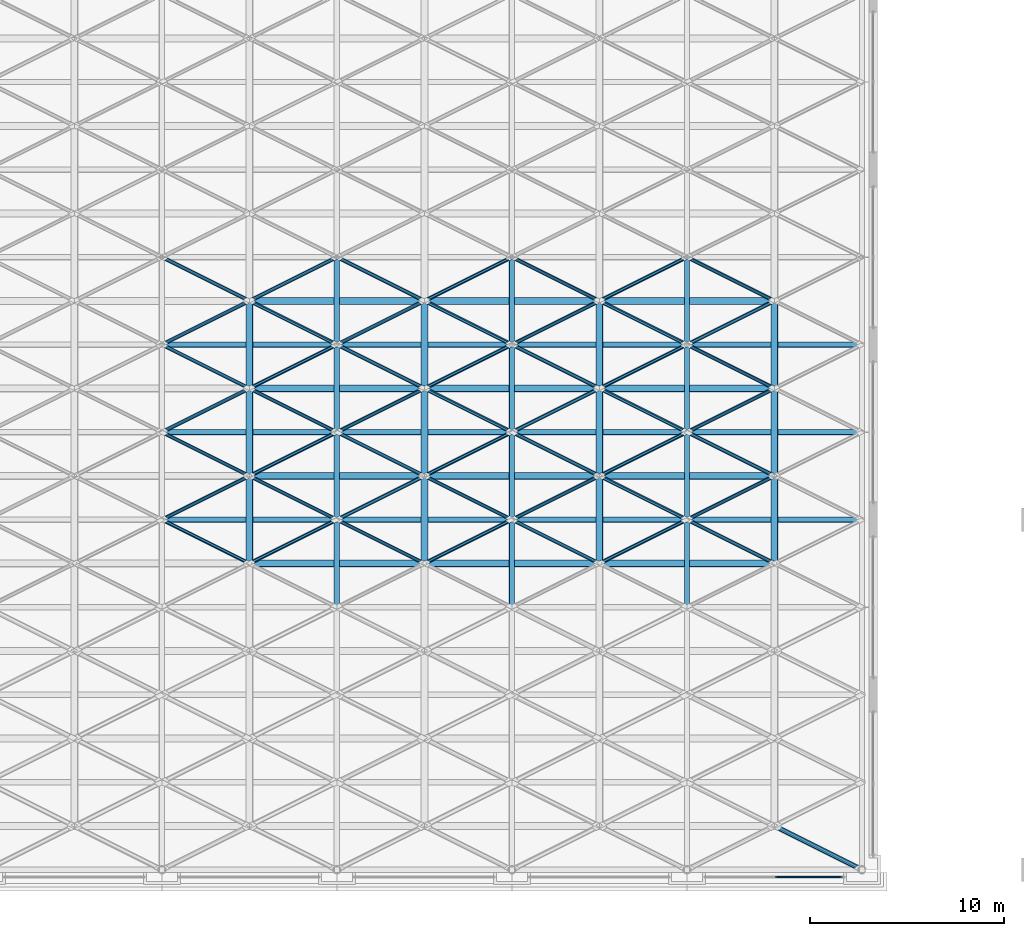
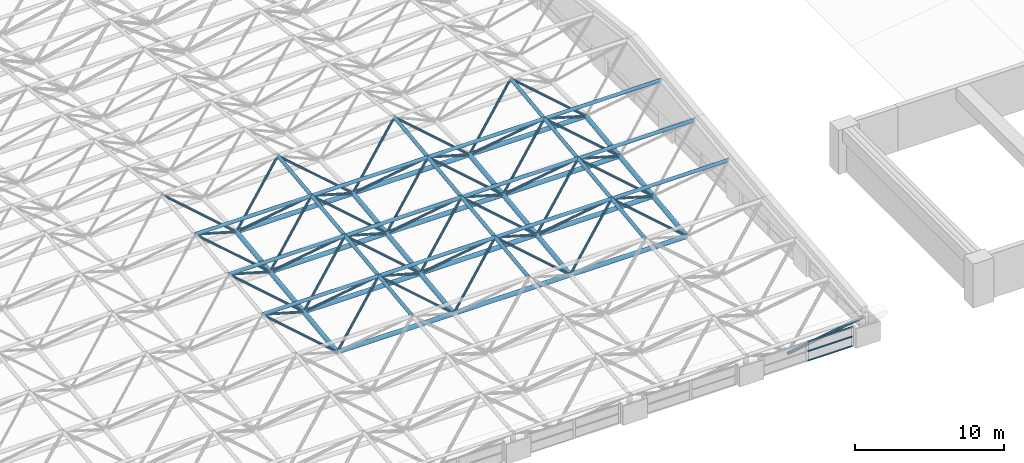
# One storey, part 14 of 53: 101 members, 1 element without a shape of its own.
"""IFC4 building model written with IfcOpenShell, lengths in metres."""

from ifc_helpers import new_model, si_unit, direction, frame, origin, origin_2d, place, context, subcontext, project, spatial, rectangle, hollow_circle, extrude, material, material_profile, profile_set, type_object, element, aggregate, save


model = new_model("IFC4")

# Units and contexts
model_context = context("Model", 3, precision=1e-05, world=origin(), true_north=direction((0.0, 1.0)))
body_context = subcontext(model_context, "Body", "Model", "MODEL_VIEW")
ifc_project = project(units=[si_unit("LENGTHUNIT", "METRE"), si_unit("AREAUNIT", "SQUARE_METRE"), si_unit("VOLUMEUNIT", "CUBIC_METRE"), si_unit("PLANEANGLEUNIT", "RADIAN"), si_unit("MASSUNIT", "GRAM", prefix="KILO")], contexts=[model_context])

# Site, building, storey
site_placement = place(None, origin())
site = spatial("IfcSite", under=ifc_project, at=site_placement, CompositionType="ELEMENT")
building_placement = place(site_placement, origin())
building = spatial("IfcBuilding", under=site, at=building_placement, Name="Aravalli Gate Trade Fair Centre", CompositionType="ELEMENT")
storey_placement = place(building_placement, frame((0.0, 0.0, 25.199951171875)))
storey = spatial("IfcBuildingStorey", under=building, at=storey_placement, Name="ROOF LEVEL 2", CompositionType="ELEMENT", Elevation=25.199951171875)

# Members
ifc_material_1 = material(Name="Steel E350", Category="steel")
ifc_material_profile_1 = material_profile(ifc_material_1, hollow_circle(Radius=0.096923828125, WallThickness=0.00634765625, at=origin_2d()), Name="CHS 193.7x6.3")
ifc_profile_set_1 = profile_set([ifc_material_profile_1], Name="Steel E350")
member_type_1 = type_object("IfcMemberType", Name="CHS 193.7x6.3", PredefinedType="BRACE", material=ifc_profile_set_1)
for number, where, z_axis, x_axis, name in (
    (1, (69.0, 64.0, 3.699951171875), (0.786485839543, 0.393242919772, -0.476235267749), (-0.4472135955, 0.894427191, 0.0), "Space frame web diagonal D2A"),
    (2, (78.0, 64.0, 3.699951171875), (0.786485839543, 0.393242919772, -0.476235267749), (-0.4472135955, 0.894427191, 0.0), "Space frame web diagonal D2A"),
    (3, (87.0, 64.0, 3.699951171875), (0.786485839543, 0.393242919772, -0.476235267749), (-0.4472135955, 0.894427191, 0.0), "Space frame web diagonal D2A"),
    (4, (96.0, 64.0, 3.699951171875), (0.786485839543, 0.393242919772, -0.476235267749), (-0.4472135955, 0.894427191, 0.0), "Space frame web diagonal D2A"),
    (5, (78.0, 64.0, 3.699951171875), (-0.786485839543, 0.393242919772, -0.476235267749), (-0.4472135955, -0.894427191, 0.0), "Space frame web diagonal D2B"),
    (6, (87.0, 64.0, 3.699951171875), (-0.786485839543, 0.393242919772, -0.476235267749), (-0.4472135955, -0.894427191, 0.0), "Space frame web diagonal D2B"),
    (7, (96.0, 64.0, 3.699951171875), (-0.786485839543, 0.393242919772, -0.476235267749), (-0.4472135955, -0.894427191, 0.0), "Space frame web diagonal D2B"),
):
    element("IfcMember", number, at=place(storey_placement, frame(where, z_axis=z_axis, x_axis=x_axis)), inside=storey, type_object=member_type_1, Name=name, PredefinedType="BRACE", context=body_context, shape_type="SweptSolid", body=[
        extrude(hollow_circle(Radius=0.096923828125, WallThickness=0.00634765625, at=origin_2d()), origin(), (0.0, 0.0, 1.0), 5.7216796875),
    ])
for number, where, z_axis, x_axis, name in (
    (8, (69.0, 64.0, 3.699951171875), (0.749609832162, -0.374804916081, -0.545533110277), (0.4472135955, 0.894427191, 0.0), "Space frame web diagonal D2C"),
    (9, (78.0, 64.0, 3.699951171875), (0.749609832162, -0.374804916081, -0.545533110277), (0.4472135955, 0.894427191, 0.0), "Space frame web diagonal D2C"),
    (10, (87.0, 64.0, 3.699951171875), (0.749609832162, -0.374804916081, -0.545533110277), (0.4472135955, 0.894427191, 0.0), "Space frame web diagonal D2C"),
    (11, (96.0, 64.0, 3.699951171875), (0.749609832162, -0.374804916081, -0.545533110277), (0.4472135955, 0.894427191, 0.0), "Space frame web diagonal D2C"),
    (12, (69.0, 68.5, 4.25), (0.749609832162, -0.374804916081, -0.545533110277), (0.4472135955, 0.894427191, 0.0), "Space frame web diagonal D2C"),
    (13, (78.0, 68.5, 4.25), (0.749609832162, -0.374804916081, -0.545533110277), (0.4472135955, 0.894427191, 0.0), "Space frame web diagonal D2C"),
    (14, (87.0, 68.5, 4.25), (0.749609832162, -0.374804916081, -0.545533110277), (0.4472135955, 0.894427191, 0.0), "Space frame web diagonal D2C"),
    (15, (96.0, 68.5, 4.25), (0.749609832162, -0.374804916081, -0.545533110277), (0.4472135955, 0.894427191, 0.0), "Space frame web diagonal D2C"),
    (16, (78.0, 64.0, 3.699951171875), (-0.749609832162, -0.374804916081, -0.545533110277), (0.4472135955, -0.894427191, 0.0), "Space frame web diagonal D2D"),
    (17, (87.0, 64.0, 3.699951171875), (-0.749609832162, -0.374804916081, -0.545533110277), (0.4472135955, -0.894427191, 0.0), "Space frame web diagonal D2D"),
    (18, (96.0, 64.0, 3.699951171875), (-0.749609832162, -0.374804916081, -0.545533110277), (0.4472135955, -0.894427191, 0.0), "Space frame web diagonal D2D"),
    (19, (78.0, 68.5, 4.25), (-0.749609832162, -0.374804916081, -0.545533110277), (0.4472135955, -0.894427191, 0.0), "Space frame web diagonal D2D"),
    (20, (87.0, 68.5, 4.25), (-0.749609832162, -0.374804916081, -0.545533110277), (0.4472135955, -0.894427191, 0.0), "Space frame web diagonal D2D"),
    (21, (96.0, 68.5, 4.25), (-0.749609832162, -0.374804916081, -0.545533110277), (0.4472135955, -0.894427191, 0.0), "Space frame web diagonal D2D"),
):
    element("IfcMember", number, at=place(storey_placement, frame(where, z_axis=z_axis, x_axis=x_axis)), inside=storey, type_object=member_type_1, Name=name, PredefinedType="BRACE", context=body_context, shape_type="SweptSolid", body=[
        extrude(hollow_circle(Radius=0.096923828125, WallThickness=0.00634765625, at=origin_2d()), origin(), (0.0, 0.0, 1.0), 6.003173828125),
    ])
for number, where, z_axis, x_axis, name in (
    (22, (69.0, 68.5, 4.25), (0.786150117051, 0.393075058526, -0.476927658901), (-0.4472135955, 0.894427191, 0.0), "Space frame web diagonal D3A"),
    (23, (78.0, 68.5, 4.25), (0.786150117051, 0.393075058526, -0.476927658901), (-0.4472135955, 0.894427191, 0.0), "Space frame web diagonal D3A"),
    (24, (87.0, 68.5, 4.25), (0.786150117051, 0.393075058526, -0.476927658901), (-0.4472135955, 0.894427191, 0.0), "Space frame web diagonal D3A"),
    (25, (96.0, 68.5, 4.25), (0.786150117051, 0.393075058526, -0.476927658901), (-0.4472135955, 0.894427191, 0.0), "Space frame web diagonal D3A"),
    (26, (69.0, 73.0, 4.7900390625), (0.786150117051, 0.393075058526, -0.476927658901), (-0.4472135955, 0.894427191, 0.0), "Space frame web diagonal D3A"),
    (27, (78.0, 73.0, 4.7900390625), (0.786150117051, 0.393075058526, -0.476927658901), (-0.4472135955, 0.894427191, 0.0), "Space frame web diagonal D3A"),
    (28, (87.0, 73.0, 4.7900390625), (0.786150117051, 0.393075058526, -0.476927658901), (-0.4472135955, 0.894427191, 0.0), "Space frame web diagonal D3A"),
    (29, (96.0, 73.0, 4.7900390625), (0.786150117051, 0.393075058526, -0.476927658901), (-0.4472135955, 0.894427191, 0.0), "Space frame web diagonal D3A"),
    (30, (78.0, 68.5, 4.25), (-0.786150117051, 0.393075058526, -0.476927658901), (-0.4472135955, -0.894427191, 0.0), "Space frame web diagonal D3B"),
    (31, (87.0, 68.5, 4.25), (-0.786150117051, 0.393075058526, -0.476927658901), (-0.4472135955, -0.894427191, 0.0), "Space frame web diagonal D3B"),
    (32, (96.0, 68.5, 4.25), (-0.786150117051, 0.393075058526, -0.476927658901), (-0.4472135955, -0.894427191, 0.0), "Space frame web diagonal D3B"),
    (33, (78.0, 73.0, 4.7900390625), (-0.786150117051, 0.393075058526, -0.476927658901), (-0.4472135955, -0.894427191, 0.0), "Space frame web diagonal D3B"),
    (34, (87.0, 73.0, 4.7900390625), (-0.786150117051, 0.393075058526, -0.476927658901), (-0.4472135955, -0.894427191, 0.0), "Space frame web diagonal D3B"),
    (35, (96.0, 73.0, 4.7900390625), (-0.786150117051, 0.393075058526, -0.476927658901), (-0.4472135955, -0.894427191, 0.0), "Space frame web diagonal D3B"),
):
    element("IfcMember", number, at=place(storey_placement, frame(where, z_axis=z_axis, x_axis=x_axis)), inside=storey, type_object=member_type_1, Name=name, PredefinedType="BRACE", context=body_context, shape_type="SweptSolid", body=[
        extrude(hollow_circle(Radius=0.096923828125, WallThickness=0.00634765625, at=origin_2d()), origin(), (0.0, 0.0, 1.0), 5.72412109375),
    ])
for number, where, z_axis, x_axis, name in (
    (36, (69.0, 73.0, 4.7900390625), (0.74994242606, -0.37497121303, -0.544961417895), (0.4472135955, 0.894427191, 0.0), "Space frame web diagonal D3C"),
    (37, (78.0, 73.0, 4.7900390625), (0.74994242606, -0.37497121303, -0.544961417895), (0.4472135955, 0.894427191, 0.0), "Space frame web diagonal D3C"),
    (38, (87.0, 73.0, 4.7900390625), (0.74994242606, -0.37497121303, -0.544961417895), (0.4472135955, 0.894427191, 0.0), "Space frame web diagonal D3C"),
    (39, (96.0, 73.0, 4.7900390625), (0.74994242606, -0.37497121303, -0.544961417895), (0.4472135955, 0.894427191, 0.0), "Space frame web diagonal D3C"),
    (40, (69.0, 77.5, 5.330078125), (0.74994242606, -0.37497121303, -0.544961417895), (0.4472135955, 0.894427191, 0.0), "Space frame web diagonal D3C"),
    (41, (78.0, 77.5, 5.330078125), (0.74994242606, -0.37497121303, -0.544961417895), (0.4472135955, 0.894427191, 0.0), "Space frame web diagonal D3C"),
    (42, (87.0, 77.5, 5.330078125), (0.74994242606, -0.37497121303, -0.544961417895), (0.4472135955, 0.894427191, 0.0), "Space frame web diagonal D3C"),
    (43, (96.0, 77.5, 5.330078125), (0.74994242606, -0.37497121303, -0.544961417895), (0.4472135955, 0.894427191, 0.0), "Space frame web diagonal D3C"),
    (44, (78.0, 73.0, 4.7900390625), (-0.74994242606, -0.37497121303, -0.544961417895), (0.4472135955, -0.894427191, 0.0), "Space frame web diagonal D3D"),
    (45, (87.0, 73.0, 4.7900390625), (-0.74994242606, -0.37497121303, -0.544961417895), (0.4472135955, -0.894427191, 0.0), "Space frame web diagonal D3D"),
    (46, (96.0, 73.0, 4.7900390625), (-0.74994242606, -0.37497121303, -0.544961417895), (0.4472135955, -0.894427191, 0.0), "Space frame web diagonal D3D"),
    (47, (78.0, 77.5, 5.330078125), (-0.74994242606, -0.37497121303, -0.544961417895), (0.4472135955, -0.894427191, 0.0), "Space frame web diagonal D3D"),
    (48, (87.0, 77.5, 5.330078125), (-0.74994242606, -0.37497121303, -0.544961417895), (0.4472135955, -0.894427191, 0.0), "Space frame web diagonal D3D"),
    (49, (96.0, 77.5, 5.330078125), (-0.74994242606, -0.37497121303, -0.544961417895), (0.4472135955, -0.894427191, 0.0), "Space frame web diagonal D3D"),
):
    element("IfcMember", number, at=place(storey_placement, frame(where, z_axis=z_axis, x_axis=x_axis)), inside=storey, type_object=member_type_1, Name=name, PredefinedType="BRACE", context=body_context, shape_type="SweptSolid", body=[
        extrude(hollow_circle(Radius=0.096923828125, WallThickness=0.00634765625, at=origin_2d()), origin(), (0.0, 0.0, 1.0), 6.00048828125),
    ])
ifc_material_profile_2 = material_profile(ifc_material_1, hollow_circle(Radius=0.122314453125, WallThickness=0.008056640625, at=origin_2d()), Name="CHS 244.5x8")
ifc_profile_set_2 = profile_set([ifc_material_profile_2], Name="Steel E350")
member_type_2 = type_object("IfcMemberType", Name="CHS 244.5x8", PredefinedType="BRACE", material=ifc_profile_set_2)
member_1_placement = place(storey_placement, frame((105.0, 46.0, 1.800048828125), z_axis=(-0.783200147531, 0.391600073766, -0.48295642778), x_axis=(-0.4472135955, -0.894427191, 0.0)))
element("IfcMember", 50, at=member_1_placement, inside=storey, type_object=member_type_2, Name="Space frame web diagonal D1B", PredefinedType="BRACE", context=body_context, shape_type="SweptSolid", body=[
    extrude(hollow_circle(Radius=0.122314453125, WallThickness=0.008056640625, at=origin_2d()), origin(), (0.0, 0.0, 1.0), 5.74560546875),
])
ifc_material_profile_3 = material_profile(ifc_material_1, hollow_circle(Radius=0.136474609375, WallThickness=0.010009765625, at=origin_2d()), Name="CHS 273.1x10")
ifc_profile_set_3 = profile_set([ifc_material_profile_3], Name="Steel E350")
member_type_3 = type_object("IfcMemberType", Name="CHS 273.1x10", PredefinedType="CHORD", material=ifc_profile_set_3)
for number, where, z_axis, x_axis, name in (
    (51, (69.0, 64.0, 3.699951171875), (1.0, 0.0, 0.0), (0.0, 1.0, 0.0), "Space frame top chord along the lines T2"),
    (52, (78.0, 64.0, 3.699951171875), (1.0, 0.0, 0.0), (0.0, 1.0, 0.0), "Space frame top chord along the lines T2"),
    (53, (87.0, 64.0, 3.699951171875), (1.0, 0.0, 0.0), (0.0, 1.0, 0.0), "Space frame top chord along the lines T2"),
    (54, (96.0, 64.0, 3.699951171875), (1.0, 0.0, 0.0), (0.0, 1.0, 0.0), "Space frame top chord along the lines T2"),
    (55, (69.0, 68.5, 4.25), (1.0, 0.0, 0.0), (0.0, 1.0, 0.0), "Space frame top chord along the lines T3"),
    (56, (78.0, 68.5, 4.25), (1.0, 0.0, 0.0), (0.0, 1.0, 0.0), "Space frame top chord along the lines T3"),
    (57, (87.0, 68.5, 4.25), (1.0, 0.0, 0.0), (0.0, 1.0, 0.0), "Space frame top chord along the lines T3"),
    (58, (96.0, 68.5, 4.25), (1.0, 0.0, 0.0), (0.0, 1.0, 0.0), "Space frame top chord along the lines T3"),
    (59, (69.0, 73.0, 4.7900390625), (1.0, 0.0, 0.0), (0.0, 1.0, 0.0), "Space frame top chord along the lines T3"),
    (60, (78.0, 73.0, 4.7900390625), (1.0, 0.0, 0.0), (0.0, 1.0, 0.0), "Space frame top chord along the lines T3"),
    (61, (87.0, 73.0, 4.7900390625), (1.0, 0.0, 0.0), (0.0, 1.0, 0.0), "Space frame top chord along the lines T3"),
    (62, (96.0, 73.0, 4.7900390625), (1.0, 0.0, 0.0), (0.0, 1.0, 0.0), "Space frame top chord along the lines T3"),
):
    element("IfcMember", number, at=place(storey_placement, frame(where, z_axis=z_axis, x_axis=x_axis)), inside=storey, type_object=member_type_3, Name=name, PredefinedType="CHORD", context=body_context, shape_type="SweptSolid", body=[
        extrude(hollow_circle(Radius=0.136474609375, WallThickness=0.010009765625, at=origin_2d()), origin(), (0.0, 0.0, 1.0), 9.0),
    ])
for number, where, z_axis, x_axis, name in (
    (63, (78.0, 59.5, 3.150146484375), (0.0, 0.992618705116, 0.12127698155), (-1.0, 0.0, 0.0), "Space frame top chord across the vault Y2"),
    (64, (78.0, 64.0, 3.699951171875), (0.0, 0.992612220818, 0.121330041965), (-1.0, 0.0, 0.0), "Space frame top chord across the vault Y2"),
    (65, (87.0, 59.5, 3.150146484375), (0.0, 0.992618705116, 0.12127698155), (-1.0, 0.0, 0.0), "Space frame top chord across the vault Y2"),
    (66, (87.0, 64.0, 3.699951171875), (0.0, 0.992612220818, 0.121330041965), (-1.0, 0.0, 0.0), "Space frame top chord across the vault Y2"),
    (67, (96.0, 59.5, 3.150146484375), (0.0, 0.992618705116, 0.12127698155), (-1.0, 0.0, 0.0), "Space frame top chord across the vault Y2"),
    (68, (96.0, 64.0, 3.699951171875), (0.0, 0.992612220818, 0.121330041965), (-1.0, 0.0, 0.0), "Space frame top chord across the vault Y2"),
):
    element("IfcMember", number, at=place(storey_placement, frame(where, z_axis=z_axis, x_axis=x_axis)), inside=storey, type_object=member_type_3, Name=name, PredefinedType="CHORD", context=body_context, shape_type="SweptSolid", body=[
        extrude(hollow_circle(Radius=0.136474609375, WallThickness=0.010009765625, at=origin_2d()), origin(), (0.0, 0.0, 1.0), 4.533447265625),
    ])
for number, where, z_axis, x_axis, name in (
    (69, (78.0, 68.5, 4.25), (0.0, 0.992875818887, 0.11915371698), (-1.0, 0.0, 0.0), "Space frame top chord across the vault Y3"),
    (70, (78.0, 73.0, 4.7900390625), (0.0, 0.992875818887, 0.11915371698), (-1.0, 0.0, 0.0), "Space frame top chord across the vault Y3"),
    (71, (87.0, 68.5, 4.25), (0.0, 0.992875818887, 0.11915371698), (-1.0, 0.0, 0.0), "Space frame top chord across the vault Y3"),
    (72, (87.0, 73.0, 4.7900390625), (0.0, 0.992875818887, 0.11915371698), (-1.0, 0.0, 0.0), "Space frame top chord across the vault Y3"),
    (73, (96.0, 68.5, 4.25), (0.0, 0.992875818887, 0.11915371698), (-1.0, 0.0, 0.0), "Space frame top chord across the vault Y3"),
    (74, (96.0, 73.0, 4.7900390625), (0.0, 0.992875818887, 0.11915371698), (-1.0, 0.0, 0.0), "Space frame top chord across the vault Y3"),
):
    element("IfcMember", number, at=place(storey_placement, frame(where, z_axis=z_axis, x_axis=x_axis)), inside=storey, type_object=member_type_3, Name=name, PredefinedType="CHORD", context=body_context, shape_type="SweptSolid", body=[
        extrude(hollow_circle(Radius=0.136474609375, WallThickness=0.010009765625, at=origin_2d()), origin(), (0.0, 0.0, 1.0), 4.5322265625),
    ])
ifc_material_profile_4 = material_profile(ifc_material_1, hollow_circle(Radius=0.177734375, WallThickness=0.010009765625, at=origin_2d()), Name="CHS 355.6x10")
ifc_profile_set_4 = profile_set([ifc_material_profile_4], Name="Steel E350")
member_type_4 = type_object("IfcMemberType", Name="CHS 355.6x10", PredefinedType="CHORD", material=ifc_profile_set_4)
for number, where, z_axis, x_axis, name in (
    (75, (73.5, 61.75, 0.425048828125), (1.0, 0.0, 0.0), (0.0, 1.0, 0.0), "Space frame bottom chord along the lines B2"),
    (76, (82.5, 61.75, 0.425048828125), (1.0, 0.0, 0.0), (0.0, 1.0, 0.0), "Space frame bottom chord along the lines B2"),
    (77, (91.5, 61.75, 0.425048828125), (1.0, 0.0, 0.0), (0.0, 1.0, 0.0), "Space frame bottom chord along the lines B2"),
    (78, (73.5, 66.25, 0.97509765625), (1.0, 0.0, 0.0), (0.0, 1.0, 0.0), "Space frame bottom chord along the lines B2"),
    (79, (82.5, 66.25, 0.97509765625), (1.0, 0.0, 0.0), (0.0, 1.0, 0.0), "Space frame bottom chord along the lines B2"),
    (80, (91.5, 66.25, 0.97509765625), (1.0, 0.0, 0.0), (0.0, 1.0, 0.0), "Space frame bottom chord along the lines B2"),
    (81, (73.5, 70.75, 1.52001953125), (1.0, 0.0, 0.0), (0.0, 1.0, 0.0), "Space frame bottom chord along the lines B3"),
    (82, (82.5, 70.75, 1.52001953125), (1.0, 0.0, 0.0), (0.0, 1.0, 0.0), "Space frame bottom chord along the lines B3"),
    (83, (91.5, 70.75, 1.52001953125), (1.0, 0.0, 0.0), (0.0, 1.0, 0.0), "Space frame bottom chord along the lines B3"),
    (84, (73.5, 75.25, 2.06005859375), (1.0, 0.0, 0.0), (0.0, 1.0, 0.0), "Space frame bottom chord along the lines B3"),
    (85, (82.5, 75.25, 2.06005859375), (1.0, 0.0, 0.0), (0.0, 1.0, 0.0), "Space frame bottom chord along the lines B3"),
    (86, (91.5, 75.25, 2.06005859375), (1.0, 0.0, 0.0), (0.0, 1.0, 0.0), "Space frame bottom chord along the lines B3"),
):
    element("IfcMember", number, at=place(storey_placement, frame(where, z_axis=z_axis, x_axis=x_axis)), inside=storey, type_object=member_type_4, Name=name, PredefinedType="CHORD", context=body_context, shape_type="SweptSolid", body=[
        extrude(hollow_circle(Radius=0.177734375, WallThickness=0.010009765625, at=origin_2d()), origin(), (0.0, 0.0, 1.0), 9.0),
    ])
for number, where, z_axis, x_axis, name in (
    (87, (73.5, 61.75, 0.425048828125), (0.0, 0.992612220818, 0.121330041965), (-1.0, 0.0, 0.0), "Space frame bottom chord across the vault C3"),
    (88, (82.5, 61.75, 0.425048828125), (0.0, 0.992612220818, 0.121330041965), (-1.0, 0.0, 0.0), "Space frame bottom chord across the vault C3"),
    (89, (91.5, 61.75, 0.425048828125), (0.0, 0.992612220818, 0.121330041965), (-1.0, 0.0, 0.0), "Space frame bottom chord across the vault C3"),
    (90, (100.5, 61.75, 0.425048828125), (0.0, 0.992612220818, 0.121330041965), (-1.0, 0.0, 0.0), "Space frame bottom chord across the vault C3"),
):
    element("IfcMember", number, at=place(storey_placement, frame(where, z_axis=z_axis, x_axis=x_axis)), inside=storey, type_object=member_type_4, Name=name, PredefinedType="CHORD", context=body_context, shape_type="SweptSolid", body=[
        extrude(hollow_circle(Radius=0.177734375, WallThickness=0.010009765625, at=origin_2d()), origin(), (0.0, 0.0, 1.0), 4.533447265625),
    ])
for number, where, z_axis, x_axis, name in (
    (91, (73.5, 66.25, 0.97509765625), (0.0, 0.992747813002, 0.120215555481), (-1.0, 0.0, 0.0), "Space frame bottom chord across the vault C4"),
    (92, (82.5, 66.25, 0.97509765625), (0.0, 0.992747813002, 0.120215555481), (-1.0, 0.0, 0.0), "Space frame bottom chord across the vault C4"),
    (93, (91.5, 66.25, 0.97509765625), (0.0, 0.992747813002, 0.120215555481), (-1.0, 0.0, 0.0), "Space frame bottom chord across the vault C4"),
    (94, (100.5, 66.25, 0.97509765625), (0.0, 0.992747813002, 0.120215555481), (-1.0, 0.0, 0.0), "Space frame bottom chord across the vault C4"),
):
    element("IfcMember", number, at=place(storey_placement, frame(where, z_axis=z_axis, x_axis=x_axis)), inside=storey, type_object=member_type_4, Name=name, PredefinedType="CHORD", context=body_context, shape_type="SweptSolid", body=[
        extrude(hollow_circle(Radius=0.177734375, WallThickness=0.010009765625, at=origin_2d()), origin(), (0.0, 0.0, 1.0), 4.532958984375),
    ])
for number, where, z_axis, x_axis, name in (
    (95, (73.5, 70.75, 1.52001953125), (0.0, 0.992875818887, 0.11915371698), (-1.0, 0.0, 0.0), "Space frame bottom chord across the vault C5"),
    (96, (82.5, 70.75, 1.52001953125), (0.0, 0.992875818887, 0.11915371698), (-1.0, 0.0, 0.0), "Space frame bottom chord across the vault C5"),
    (97, (91.5, 70.75, 1.52001953125), (0.0, 0.992875818887, 0.11915371698), (-1.0, 0.0, 0.0), "Space frame bottom chord across the vault C5"),
    (98, (100.5, 70.75, 1.52001953125), (0.0, 0.992875818887, 0.11915371698), (-1.0, 0.0, 0.0), "Space frame bottom chord across the vault C5"),
):
    element("IfcMember", number, at=place(storey_placement, frame(where, z_axis=z_axis, x_axis=x_axis)), inside=storey, type_object=member_type_4, Name=name, PredefinedType="CHORD", context=body_context, shape_type="SweptSolid", body=[
        extrude(hollow_circle(Radius=0.177734375, WallThickness=0.010009765625, at=origin_2d()), origin(), (0.0, 0.0, 1.0), 4.5322265625),
    ])

# Curtain wall, members
ifc_material_2 = material(Name="Aluminium, glass and louvre", Category="aluminium")
curtain_wall_type = type_object("IfcCurtainWallType", Name="Hall crown curtain wall 3000 module", PredefinedType="NOTDEFINED", material=ifc_material_2)
curtain_wall_placement = place(storey_placement, origin())
curtain_wall = element("IfcCurtainWall", 99, at=curtain_wall_placement, inside=storey, type_object=curtain_wall_type, Name="Hall south crown curtain wall bay 11 ROOF LEVEL 2", PredefinedType="NOTDEFINED")
ifc_material_3 = material(Name="Aluminium", Category="aluminium")
ifc_material_profile_5 = material_profile(ifc_material_3, rectangle(XDim=0.06005859375, YDim=0.1201171875, at=origin_2d()), Name="Hall curtain wall transom 60 x 120")
ifc_profile_set_5 = profile_set([ifc_material_profile_5], Name="Aluminium")
member_type_5 = type_object("IfcMemberType", Name="Hall curtain wall transom 60 x 120", PredefinedType="USERDEFINED", material=ifc_profile_set_5)
member_2_placement = place(storey_placement, frame((100.530029296875, 45.625, 0.030029296875), z_axis=(1.0, 0.0, 0.0), x_axis=(0.0, 1.0, 0.0)))
member_2 = element("IfcMember", 100, at=member_2_placement, type_object=member_type_5, Name="HCW1 transom 2.1", ObjectType="TRANSOM", PredefinedType="USERDEFINED", context=body_context, shape_type="SweptSolid", body=[
    extrude(rectangle(XDim=0.06005859375, YDim=0.1201171875, at=origin_2d()), origin(), (0.0, 0.0, 1.0), 3.4599609375),
])
member_3_placement = place(storey_placement, frame((100.530029296875, 45.625, 0.800048828125), z_axis=(1.0, 0.0, 0.0), x_axis=(0.0, 1.0, 0.0)))
member_3 = element("IfcMember", 101, at=member_3_placement, type_object=member_type_5, Name="HCW1 transom 2.2", ObjectType="TRANSOM", PredefinedType="USERDEFINED", context=body_context, shape_type="SweptSolid", body=[
    extrude(rectangle(XDim=0.06005859375, YDim=0.1201171875, at=origin_2d()), origin(), (0.0, 0.0, 1.0), 3.4599609375),
])
member_4_placement = place(storey_placement, frame((100.530029296875, 45.625, 1.570068359375), z_axis=(1.0, 0.0, 0.0), x_axis=(0.0, 1.0, 0.0)))
member_4 = element("IfcMember", 102, at=member_4_placement, type_object=member_type_5, Name="HCW1 transom 2.3", ObjectType="TRANSOM", PredefinedType="USERDEFINED", context=body_context, shape_type="SweptSolid", body=[
    extrude(rectangle(XDim=0.06005859375, YDim=0.1201171875, at=origin_2d()), origin(), (0.0, 0.0, 1.0), 3.4599609375),
])
aggregate(curtain_wall, [member_2, member_3, member_4])

save(model, "model.ifc")
